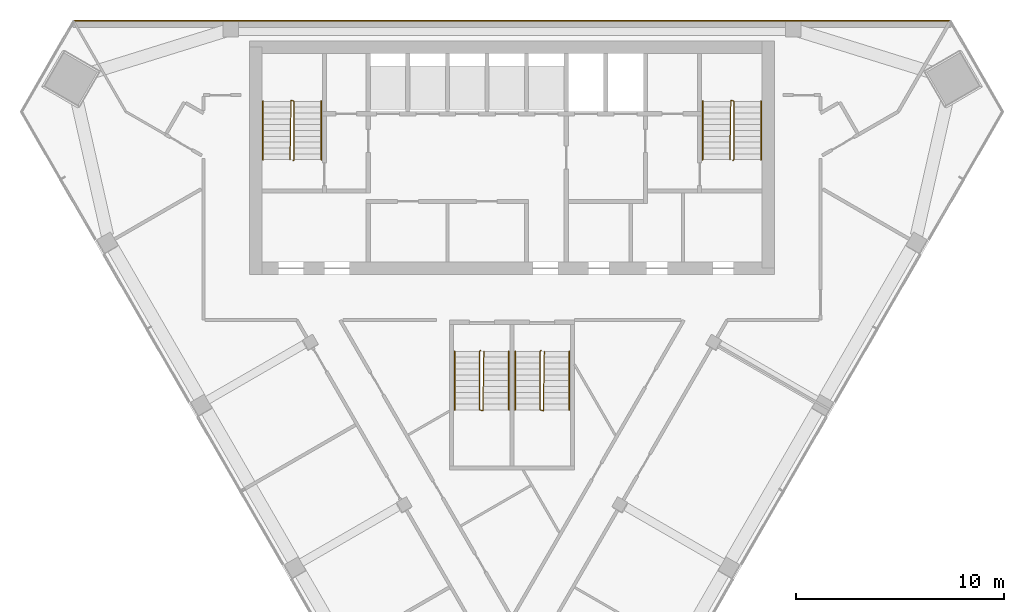
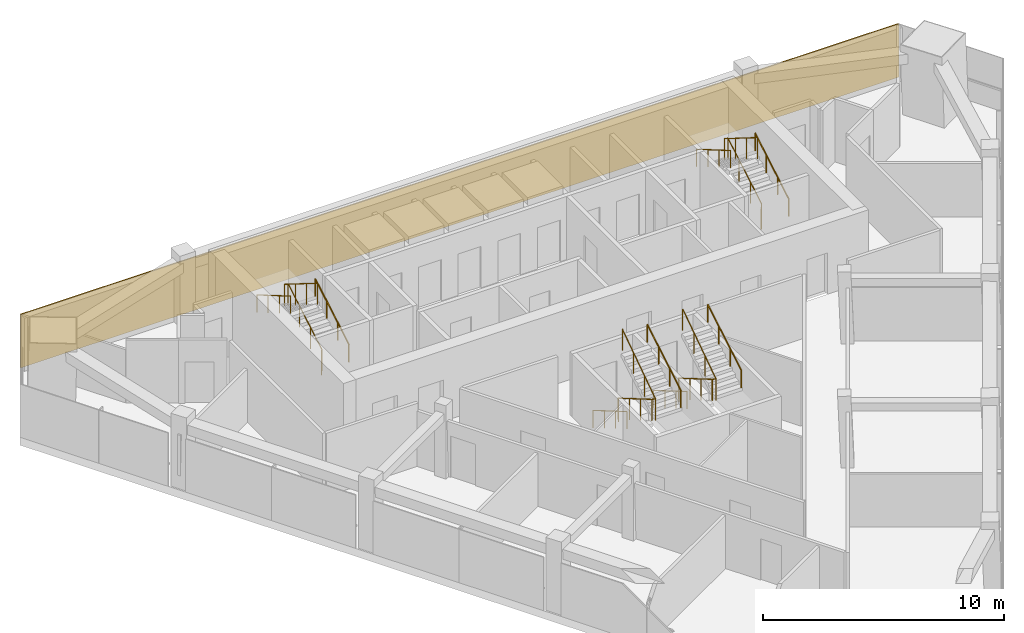
# One storey, part 11 of 12: 12 railings, 1 covering.
"""IFC4 building model written with IfcOpenShell, lengths in metres."""

from ifc_helpers import new_model, si_unit, direction, frame, frame_2d, origin, origin_2d, place, context, subcontext, project, spatial, rectangle, circle, extrude, material, layer, layer_set, type_object, element, save


model = new_model("IFC4")

# Units and contexts
model_context = context("Model", 3, precision=1e-05, world=origin(), true_north=direction((0.0, 1.0)))
body_context = subcontext(model_context, "Body", "Model", "MODEL_VIEW")
ifc_project = project(units=[si_unit("LENGTHUNIT", "METRE"), si_unit("AREAUNIT", "SQUARE_METRE"), si_unit("VOLUMEUNIT", "CUBIC_METRE"), si_unit("PLANEANGLEUNIT", "RADIAN"), si_unit("MASSUNIT", "GRAM", prefix="KILO")], contexts=[model_context])

# Site, building, storey
site_placement = place(None, origin())
site = spatial("IfcSite", under=ifc_project, at=site_placement, CompositionType="ELEMENT")
building_placement = place(site_placement, origin())
building = spatial("IfcBuilding", under=site, at=building_placement, Name="Altiplano Prism Tower", CompositionType="ELEMENT")
storey_placement = place(building_placement, frame((0.0, 0.0, 257.199951171875)))
storey = spatial("IfcBuildingStorey", under=building, at=storey_placement, Name="L66", CompositionType="ELEMENT", Elevation=257.199951171875)

# Railings
ifc_material_1 = material(Name="Steel S355", Category="steel")
railing_type_1 = type_object("IfcRailingType", Name="Stair guard 1100", PredefinedType="GUARDRAIL", material=ifc_material_1)
railing_1_placement = place(storey_placement, frame((74.5, 98.25, 0.0)))
element("IfcRailing", 1, at=railing_1_placement, inside=storey, type_object=railing_type_1, Name="L66 ST1 stair guard 1", PredefinedType="GUARDRAIL", context=body_context, shape_type="SweptSolid", body=[
    extrude(circle(Radius=0.02392578125, at=origin_2d()), frame((0.0, 0.0, 1.076171875), z_axis=(0.280808744504, 0.280808744504, 0.917765164963), x_axis=(-0.707106781187, 0.707106781187, 0.0)), (0.0, 0.0, 1.0), 0.17822265625),
    extrude(circle(Radius=0.02392578125, at=origin_2d()), frame((0.050048828125, 0.050048828125, 1.23974609375), z_axis=(0.0, 0.863360870873, 0.504586966384), x_axis=(-1.0, 0.0, 0.0)), (0.0, 0.0, 1.0), 3.2431640625),
    extrude(circle(Radius=0.02392578125, at=origin_2d()), frame((0.050048828125, 2.85009765625, 2.8759765625), z_axis=(-0.949145278916, 0.314838433982, 0.0), x_axis=(-0.314838433982, -0.949145278916, 0.0)), (0.0, 0.0, 1.0), 0.158203125),
    extrude(circle(Radius=0.02392578125, at=origin_2d()), frame((-0.10009765625, 2.89990234375, 2.8759765625), z_axis=(-0.01477401265, -0.845377694409, 0.533964682676), x_axis=(0.999847325713, -0.01747355902, 0.0)), (0.0, 0.0, 1.0), 3.37109375),
    extrude(circle(Radius=0.02099609375, at=origin_2d()), origin(), (0.0, 0.0, 1.0), 1.052001953125),
    extrude(circle(Radius=0.02099609375, at=origin_2d()), frame((0.050048828125, 0.050048828125, 0.16357421875)), (0.0, 0.0, 1.0), 1.052001953125),
    extrude(circle(Radius=0.02099609375, at=origin_2d()), frame((0.050048828125, 0.9833984375, 0.708984375)), (0.0, 0.0, 1.0), 1.052001953125),
    extrude(circle(Radius=0.02099609375, at=origin_2d()), frame((0.050048828125, 1.916748046875, 1.254638671875)), (0.0, 0.0, 1.0), 1.052001953125),
    extrude(circle(Radius=0.02099609375, at=origin_2d()), frame((0.050048828125, 2.85009765625, 1.800048828125)), (0.0, 0.0, 1.0), 1.052001953125),
    extrude(circle(Radius=0.02099609375, at=origin_2d()), frame((-0.10009765625, 2.89990234375, 1.800048828125)), (0.0, 0.0, 1.0), 1.052001953125),
    extrude(circle(Radius=0.02099609375, at=origin_2d()), frame((-0.11669921875, 1.949951171875, 2.400146484375)), (0.0, 0.0, 1.0), 1.052001953125),
    extrude(circle(Radius=0.02099609375, at=origin_2d()), frame((-0.13330078125, 1.0, 3.0)), (0.0, 0.0, 1.0), 1.052001953125),
    extrude(circle(Radius=0.02099609375, at=origin_2d()), frame((-0.14990234375, 0.050048828125, 3.60009765625)), (0.0, 0.0, 1.0), 1.052001953125),
])
railing_2_placement = place(storey_placement, frame((95.60009765625, 98.25, 0.0)))
element("IfcRailing", 2, at=railing_2_placement, inside=storey, type_object=railing_type_1, Name="L66 ST2 stair guard 1", PredefinedType="GUARDRAIL", context=body_context, shape_type="SweptSolid", body=[
    extrude(circle(Radius=0.02392578125, at=origin_2d()), frame((0.0, 0.0, 1.076171875), z_axis=(0.279546231943, 0.280916556609, 0.91811752648), x_axis=(-0.708833529934, 0.705375805398, 0.0)), (0.0, 0.0, 1.0), 0.17822265625),
    extrude(circle(Radius=0.02392578125, at=origin_2d()), frame((0.0498046875, 0.050048828125, 1.23974609375), z_axis=(0.0, 0.863360870873, 0.504586966384), x_axis=(-1.0, 0.0, 0.0)), (0.0, 0.0, 1.0), 3.2431640625),
    extrude(circle(Radius=0.02392578125, at=origin_2d()), frame((0.0498046875, 2.85009765625, 2.8759765625), z_axis=(-0.948991962702, 0.315300261223, 0.0), x_axis=(-0.315300261223, -0.948991962702, 0.0)), (0.0, 0.0, 1.0), 0.157958984375),
    extrude(circle(Radius=0.02392578125, at=origin_2d()), frame((-0.10009765625, 2.89990234375, 2.8759765625), z_axis=(-0.014846418356, -0.845376787675, 0.533964109957), x_axis=(0.999845825584, -0.017559187376, 0.0)), (0.0, 0.0, 1.0), 3.37109375),
    extrude(circle(Radius=0.02099609375, at=origin_2d()), origin(), (0.0, 0.0, 1.0), 1.052001953125),
    extrude(circle(Radius=0.02099609375, at=origin_2d()), frame((0.0498046875, 0.050048828125, 0.16357421875)), (0.0, 0.0, 1.0), 1.052001953125),
    extrude(circle(Radius=0.02099609375, at=origin_2d()), frame((0.0498046875, 0.9833984375, 0.708984375)), (0.0, 0.0, 1.0), 1.052001953125),
    extrude(circle(Radius=0.02099609375, at=origin_2d()), frame((0.0498046875, 1.916748046875, 1.254638671875)), (0.0, 0.0, 1.0), 1.052001953125),
    extrude(circle(Radius=0.02099609375, at=origin_2d()), frame((0.0498046875, 2.85009765625, 1.800048828125)), (0.0, 0.0, 1.0), 1.052001953125),
    extrude(circle(Radius=0.02099609375, at=origin_2d()), frame((-0.10009765625, 2.89990234375, 1.800048828125)), (0.0, 0.0, 1.0), 1.052001953125),
    extrude(circle(Radius=0.02099609375, at=origin_2d()), frame((-0.11669921875, 1.949951171875, 2.400146484375)), (0.0, 0.0, 1.0), 1.052001953125),
    extrude(circle(Radius=0.02099609375, at=origin_2d()), frame((-0.133544921875, 1.0, 3.0)), (0.0, 0.0, 1.0), 1.052001953125),
    extrude(circle(Radius=0.02099609375, at=origin_2d()), frame((-0.150146484375, 0.050048828125, 3.60009765625)), (0.0, 0.0, 1.0), 1.052001953125),
])
railing_3_placement = place(storey_placement, frame((83.5, 89.14990234375, 0.0)))
element("IfcRailing", 3, at=railing_3_placement, inside=storey, type_object=railing_type_1, Name="L66 ST3A stair guard 1", PredefinedType="GUARDRAIL", context=body_context, shape_type="SweptSolid", body=[
    extrude(circle(Radius=0.02392578125, at=origin_2d()), frame((0.0, 0.0, 1.076171875), z_axis=(-0.280916556609, -0.279546231943, 0.91811752648), x_axis=(0.705375805398, -0.708833529934, 0.0)), (0.0, 0.0, 1.0), 0.17822265625),
    extrude(circle(Radius=0.02392578125, at=origin_2d()), frame((-0.050048828125, -0.0498046875, 1.23974609375), z_axis=(0.0, -0.863360870873, 0.504586966384), x_axis=(1.0, 0.0, 0.0)), (0.0, 0.0, 1.0), 3.2431640625),
    extrude(circle(Radius=0.02392578125, at=origin_2d()), frame((-0.050048828125, -2.849853515625, 2.8759765625), z_axis=(0.948683298051, -0.316227766017, 0.0), x_axis=(0.316227766017, 0.948683298051, 0.0)), (0.0, 0.0, 1.0), 0.158203125),
    extrude(circle(Radius=0.02392578125, at=origin_2d()), frame((0.10009765625, -2.89990234375, 2.8759765625), z_axis=(0.014773108175, 0.84539835705, 0.533931993021), x_axis=(-0.999847351862, 0.017472062685, 0.0)), (0.0, 0.0, 1.0), 3.371337890625),
    extrude(circle(Radius=0.02099609375, at=origin_2d()), origin(), (0.0, 0.0, 1.0), 1.052001953125),
    extrude(circle(Radius=0.02099609375, at=origin_2d()), frame((-0.050048828125, -0.0498046875, 0.16357421875)), (0.0, 0.0, 1.0), 1.052001953125),
    extrude(circle(Radius=0.02099609375, at=origin_2d()), frame((-0.050048828125, -0.983154296875, 0.708984375)), (0.0, 0.0, 1.0), 1.052001953125),
    extrude(circle(Radius=0.02099609375, at=origin_2d()), frame((-0.050048828125, -1.91650390625, 1.254638671875)), (0.0, 0.0, 1.0), 1.052001953125),
    extrude(circle(Radius=0.02099609375, at=origin_2d()), frame((-0.050048828125, -2.849853515625, 1.800048828125)), (0.0, 0.0, 1.0), 1.052001953125),
    extrude(circle(Radius=0.02099609375, at=origin_2d()), frame((0.10009765625, -2.89990234375, 1.800048828125)), (0.0, 0.0, 1.0), 1.052001953125),
    extrude(circle(Radius=0.02099609375, at=origin_2d()), frame((0.11669921875, -1.949951171875, 2.400146484375)), (0.0, 0.0, 1.0), 1.052001953125),
    extrude(circle(Radius=0.02099609375, at=origin_2d()), frame((0.13330078125, -0.999755859375, 3.0)), (0.0, 0.0, 1.0), 1.052001953125),
    extrude(circle(Radius=0.02099609375, at=origin_2d()), frame((0.14990234375, -0.0498046875, 3.60009765625)), (0.0, 0.0, 1.0), 1.052001953125),
])
railing_4_placement = place(storey_placement, frame((86.39990234375, 89.14990234375, 0.0)))
element("IfcRailing", 4, at=railing_4_placement, inside=storey, type_object=railing_type_1, Name="L66 ST3B stair guard 1", PredefinedType="GUARDRAIL", context=body_context, shape_type="SweptSolid", body=[
    extrude(circle(Radius=0.02392578125, at=origin_2d()), frame((0.0, 0.0, 1.076171875), z_axis=(-0.279653641804, -0.279653641804, 0.918470294159), x_axis=(0.707106781187, -0.707106781187, 0.0)), (0.0, 0.0, 1.0), 0.177978515625),
    extrude(circle(Radius=0.02392578125, at=origin_2d()), frame((-0.0498046875, -0.0498046875, 1.23974609375), z_axis=(0.0, -0.863360870873, 0.504586966384), x_axis=(1.0, 0.0, 0.0)), (0.0, 0.0, 1.0), 3.2431640625),
    extrude(circle(Radius=0.02392578125, at=origin_2d()), frame((-0.0498046875, -2.849853515625, 2.8759765625), z_axis=(0.948528701346, -0.316691178788, 0.0), x_axis=(0.316691178788, 0.948528701346, 0.0)), (0.0, 0.0, 1.0), 0.157958984375),
    extrude(circle(Radius=0.02392578125, at=origin_2d()), frame((0.10009765625, -2.89990234375, 2.8759765625), z_axis=(0.014845509451, 0.845397450405, 0.533931420407), x_axis=(-0.999845851991, 0.017557683712, 0.0)), (0.0, 0.0, 1.0), 3.371337890625),
    extrude(circle(Radius=0.02099609375, at=origin_2d()), origin(), (0.0, 0.0, 1.0), 1.052001953125),
    extrude(circle(Radius=0.02099609375, at=origin_2d()), frame((-0.0498046875, -0.0498046875, 0.16357421875)), (0.0, 0.0, 1.0), 1.052001953125),
    extrude(circle(Radius=0.02099609375, at=origin_2d()), frame((-0.0498046875, -0.983154296875, 0.708984375)), (0.0, 0.0, 1.0), 1.052001953125),
    extrude(circle(Radius=0.02099609375, at=origin_2d()), frame((-0.0498046875, -1.91650390625, 1.254638671875)), (0.0, 0.0, 1.0), 1.052001953125),
    extrude(circle(Radius=0.02099609375, at=origin_2d()), frame((-0.0498046875, -2.849853515625, 1.800048828125)), (0.0, 0.0, 1.0), 1.052001953125),
    extrude(circle(Radius=0.02099609375, at=origin_2d()), frame((0.10009765625, -2.89990234375, 1.800048828125)), (0.0, 0.0, 1.0), 1.052001953125),
    extrude(circle(Radius=0.02099609375, at=origin_2d()), frame((0.11669921875, -1.949951171875, 2.400146484375)), (0.0, 0.0, 1.0), 1.052001953125),
    extrude(circle(Radius=0.02099609375, at=origin_2d()), frame((0.133544921875, -0.999755859375, 3.0)), (0.0, 0.0, 1.0), 1.052001953125),
    extrude(circle(Radius=0.02099609375, at=origin_2d()), frame((0.150146484375, -0.0498046875, 3.60009765625)), (0.0, 0.0, 1.0), 1.052001953125),
])
railing_type_2 = type_object("IfcRailingType", Name="Stair handrail 900", PredefinedType="HANDRAIL", material=ifc_material_1)
railing_5_placement = place(storey_placement, frame((75.85009765625, 98.300048828125, 0.16357421875)))
element("IfcRailing", 5, at=railing_5_placement, inside=storey, type_object=railing_type_2, Name="L66 ST1 stair handrail 1", PredefinedType="HANDRAIL", context=body_context, shape_type="SweptSolid", body=[
    extrude(circle(Radius=0.02392578125, at=origin_2d()), frame((0.0, 0.0, 0.8759765625), z_axis=(0.0, 0.863360870873, 0.504586966384), x_axis=(-1.0, 0.0, 0.0)), (0.0, 0.0, 1.0), 3.2431640625),
    extrude(circle(Radius=0.02099609375, at=origin_2d()), origin(), (0.0, 0.0, 1.0), 0.851806640625),
    extrude(circle(Radius=0.02099609375, at=origin_2d()), frame((0.0, 0.933349609375, 0.54541015625)), (0.0, 0.0, 1.0), 0.851806640625),
    extrude(circle(Radius=0.02099609375, at=origin_2d()), frame((0.0, 1.86669921875, 1.091064453125)), (0.0, 0.0, 1.0), 0.851806640625),
    extrude(circle(Radius=0.02099609375, at=origin_2d()), frame((0.0, 2.800048828125, 1.636474609375)), (0.0, 0.0, 1.0), 0.851806640625),
])
railing_6_placement = place(storey_placement, frame((73.050048828125, 101.10009765625, 1.963623046875)))
element("IfcRailing", 6, at=railing_6_placement, inside=storey, type_object=railing_type_2, Name="L66 ST1 stair handrail 2", PredefinedType="HANDRAIL", context=body_context, shape_type="SweptSolid", body=[
    extrude(circle(Radius=0.02392578125, at=origin_2d()), frame((0.0, 0.0, 0.8759765625), z_axis=(0.0, -0.863360870873, 0.504586966384), x_axis=(1.0, 0.0, 0.0)), (0.0, 0.0, 1.0), 3.2431640625),
    extrude(circle(Radius=0.02099609375, at=origin_2d()), origin(), (0.0, 0.0, 1.0), 0.851806640625),
    extrude(circle(Radius=0.02099609375, at=origin_2d()), frame((0.0, -0.933349609375, 0.54541015625)), (0.0, 0.0, 1.0), 0.851806640625),
    extrude(circle(Radius=0.02099609375, at=origin_2d()), frame((0.0, -1.86669921875, 1.091064453125)), (0.0, 0.0, 1.0), 0.851806640625),
    extrude(circle(Radius=0.02099609375, at=origin_2d()), frame((0.0, -2.800048828125, 1.636474609375)), (0.0, 0.0, 1.0), 0.851806640625),
])
railing_7_placement = place(storey_placement, frame((96.949951171875, 98.300048828125, 0.16357421875)))
element("IfcRailing", 7, at=railing_7_placement, inside=storey, type_object=railing_type_2, Name="L66 ST2 stair handrail 1", PredefinedType="HANDRAIL", context=body_context, shape_type="SweptSolid", body=[
    extrude(circle(Radius=0.02392578125, at=origin_2d()), frame((0.0, 0.0, 0.8759765625), z_axis=(0.0, 0.863360870873, 0.504586966384), x_axis=(-1.0, 0.0, 0.0)), (0.0, 0.0, 1.0), 3.2431640625),
    extrude(circle(Radius=0.02099609375, at=origin_2d()), origin(), (0.0, 0.0, 1.0), 0.851806640625),
    extrude(circle(Radius=0.02099609375, at=origin_2d()), frame((0.0, 0.933349609375, 0.54541015625)), (0.0, 0.0, 1.0), 0.851806640625),
    extrude(circle(Radius=0.02099609375, at=origin_2d()), frame((0.0, 1.86669921875, 1.091064453125)), (0.0, 0.0, 1.0), 0.851806640625),
    extrude(circle(Radius=0.02099609375, at=origin_2d()), frame((0.0, 2.800048828125, 1.636474609375)), (0.0, 0.0, 1.0), 0.851806640625),
])
for number, where, name in (
    (8, (94.14990234375, 101.10009765625, 1.963623046875), "L66 ST2 stair handrail 2"),
    (9, (82.25, 89.10009765625, 0.16357421875), "L66 ST3A stair handrail 1"),
):
    element("IfcRailing", number, at=place(storey_placement, frame(where)), inside=storey, type_object=railing_type_2, Name=name, PredefinedType="HANDRAIL", context=body_context, shape_type="SweptSolid", body=[
        extrude(circle(Radius=0.02392578125, at=origin_2d()), frame((0.0, 0.0, 0.8759765625), z_axis=(0.0, -0.863360870873, 0.504586966384), x_axis=(1.0, 0.0, 0.0)), (0.0, 0.0, 1.0), 3.2431640625),
        extrude(circle(Radius=0.02099609375, at=origin_2d()), origin(), (0.0, 0.0, 1.0), 0.851806640625),
        extrude(circle(Radius=0.02099609375, at=origin_2d()), frame((0.0, -0.933349609375, 0.54541015625)), (0.0, 0.0, 1.0), 0.851806640625),
        extrude(circle(Radius=0.02099609375, at=origin_2d()), frame((0.0, -1.86669921875, 1.091064453125)), (0.0, 0.0, 1.0), 0.851806640625),
        extrude(circle(Radius=0.02099609375, at=origin_2d()), frame((0.0, -2.800048828125, 1.636474609375)), (0.0, 0.0, 1.0), 0.851806640625),
    ])
railing_8_placement = place(storey_placement, frame((84.85009765625, 86.300048828125, 1.963623046875)))
element("IfcRailing", 10, at=railing_8_placement, inside=storey, type_object=railing_type_2, Name="L66 ST3A stair handrail 2", PredefinedType="HANDRAIL", context=body_context, shape_type="SweptSolid", body=[
    extrude(circle(Radius=0.02392578125, at=origin_2d()), frame((0.0, 0.0, 0.8759765625), z_axis=(0.0, 0.863360870873, 0.504586966384), x_axis=(-1.0, 0.0, 0.0)), (0.0, 0.0, 1.0), 3.2431640625),
    extrude(circle(Radius=0.02099609375, at=origin_2d()), origin(), (0.0, 0.0, 1.0), 0.851806640625),
    extrude(circle(Radius=0.02099609375, at=origin_2d()), frame((0.0, 0.933349609375, 0.54541015625)), (0.0, 0.0, 1.0), 0.851806640625),
    extrude(circle(Radius=0.02099609375, at=origin_2d()), frame((0.0, 1.86669921875, 1.091064453125)), (0.0, 0.0, 1.0), 0.851806640625),
    extrude(circle(Radius=0.02099609375, at=origin_2d()), frame((0.0, 2.800048828125, 1.636474609375)), (0.0, 0.0, 1.0), 0.851806640625),
])
railing_9_placement = place(storey_placement, frame((85.14990234375, 89.10009765625, 0.16357421875)))
element("IfcRailing", 11, at=railing_9_placement, inside=storey, type_object=railing_type_2, Name="L66 ST3B stair handrail 1", PredefinedType="HANDRAIL", context=body_context, shape_type="SweptSolid", body=[
    extrude(circle(Radius=0.02392578125, at=origin_2d()), frame((0.0, 0.0, 0.8759765625), z_axis=(0.0, -0.863360870873, 0.504586966384), x_axis=(1.0, 0.0, 0.0)), (0.0, 0.0, 1.0), 3.2431640625),
    extrude(circle(Radius=0.02099609375, at=origin_2d()), origin(), (0.0, 0.0, 1.0), 0.851806640625),
    extrude(circle(Radius=0.02099609375, at=origin_2d()), frame((0.0, -0.933349609375, 0.54541015625)), (0.0, 0.0, 1.0), 0.851806640625),
    extrude(circle(Radius=0.02099609375, at=origin_2d()), frame((0.0, -1.86669921875, 1.091064453125)), (0.0, 0.0, 1.0), 0.851806640625),
    extrude(circle(Radius=0.02099609375, at=origin_2d()), frame((0.0, -2.800048828125, 1.636474609375)), (0.0, 0.0, 1.0), 0.851806640625),
])
railing_10_placement = place(storey_placement, frame((87.75, 86.300048828125, 1.963623046875)))
element("IfcRailing", 12, at=railing_10_placement, inside=storey, type_object=railing_type_2, Name="L66 ST3B stair handrail 2", PredefinedType="HANDRAIL", context=body_context, shape_type="SweptSolid", body=[
    extrude(circle(Radius=0.02392578125, at=origin_2d()), frame((0.0, 0.0, 0.8759765625), z_axis=(0.0, 0.863360870873, 0.504586966384), x_axis=(-1.0, 0.0, 0.0)), (0.0, 0.0, 1.0), 3.2431640625),
    extrude(circle(Radius=0.02099609375, at=origin_2d()), origin(), (0.0, 0.0, 1.0), 0.851806640625),
    extrude(circle(Radius=0.02099609375, at=origin_2d()), frame((0.0, 0.933349609375, 0.54541015625)), (0.0, 0.0, 1.0), 0.851806640625),
    extrude(circle(Radius=0.02099609375, at=origin_2d()), frame((0.0, 1.86669921875, 1.091064453125)), (0.0, 0.0, 1.0), 0.851806640625),
    extrude(circle(Radius=0.02099609375, at=origin_2d()), frame((0.0, 2.800048828125, 1.636474609375)), (0.0, 0.0, 1.0), 0.851806640625),
])

# Covering
ifc_material_2 = material(Name="Warm limestone cast stone", Category="masonry")
ifc_layer = layer(ifc_material_2, 0.06005859375)
ifc_layer_set = layer_set([ifc_layer], Name="Warm limestone cast stone")
covering_type = type_object("IfcCoveringType", Name="Stone cladding 60", PredefinedType="CLADDING", material=ifc_layer_set)
covering_placement = place(storey_placement, frame((63.934814453125, 104.969970703125, 0.0), z_axis=(0.0, 0.0, 1.0), x_axis=(1.0, 0.0, 0.0)))
element("IfcCovering", 13, at=covering_placement, inside=storey, type_object=covering_type, Name="Stone cladding north face L66", PredefinedType="CLADDING", context=body_context, shape_type="SweptSolid", body=[
    extrude(rectangle(XDim=42.13037109375, YDim=0.06005859375, at=frame_2d((21.065185546875, 0.0))), origin(), (0.0, 0.0, 1.0), 2.699951171875),
])

save(model, "model.ifc")
